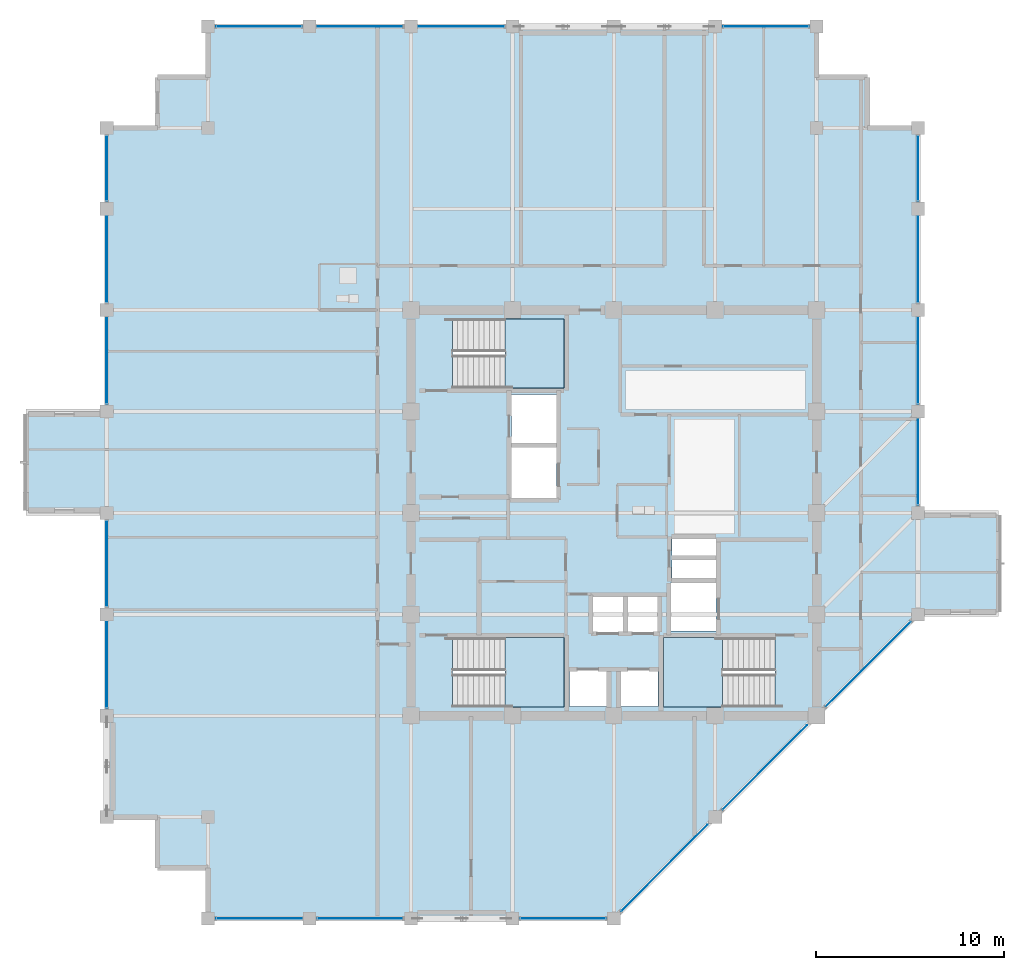
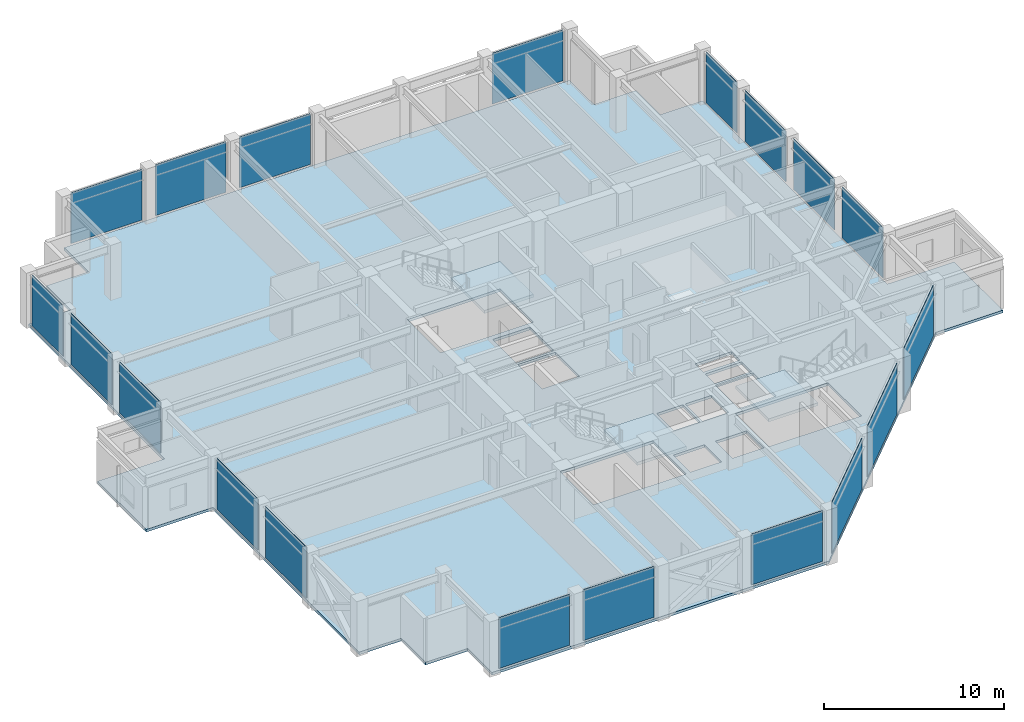
# One storey, part 22 of 31: 19 plates, 4 slabs, 11 elements without a shape of their own.
"""IFC4 building model written with IfcOpenShell, lengths in metres."""

from ifc_helpers import new_model, si_unit, direction, frame, frame_2d, origin, place, context, subcontext, project, spatial, polyline, rectangle, outline, extrude, material, layer, layer_set, type_object, element, aggregate, save


model = new_model("IFC4")

# Units and contexts
model_context = context("Model", 3, precision=1e-05, world=origin(), true_north=direction((0.0, 1.0)))
body_context = subcontext(model_context, "Body", "Model", "MODEL_VIEW")
ifc_project = project(units=[si_unit("LENGTHUNIT", "METRE"), si_unit("AREAUNIT", "SQUARE_METRE"), si_unit("VOLUMEUNIT", "CUBIC_METRE"), si_unit("PLANEANGLEUNIT", "RADIAN"), si_unit("MASSUNIT", "GRAM", prefix="KILO")], contexts=[model_context])

# Site, building, storey
site_placement = place(None, origin())
site = spatial("IfcSite", under=ifc_project, at=site_placement, CompositionType="ELEMENT")
building_placement = place(site_placement, origin())
building = spatial("IfcBuilding", under=site, at=building_placement, Name="Surkhivell Harbour Commons", CompositionType="ELEMENT")
storey_placement = place(building_placement, frame((0.0, 0.0, 322.5)))
storey = spatial("IfcBuildingStorey", under=building, at=storey_placement, Name="L84", CompositionType="ELEMENT", Elevation=322.5)

# Curtain wall, plates
ifc_material_1 = material(Name="Anodised pale-metal aluminium and insulated glazing", Category="aluminium")
ifc_layer_1 = layer(ifc_material_1, 0.175048828125)
ifc_layer_set_1 = layer_set([ifc_layer_1], Name="Anodised pale-metal aluminium and insulated glazing")
curtain_wall_type = type_object("IfcCurtainWallType", Name="CW-SYS-Z4", PredefinedType="NOTDEFINED", material=ifc_layer_set_1)
curtain_wall_1_placement = place(storey_placement, origin())
curtain_wall_1 = element("IfcCurtainWall", 1, at=curtain_wall_1_placement, inside=storey, type_object=curtain_wall_type, Name="L84 Curtain Wall CW-L84-E00S1", PredefinedType="NOTDEFINED")
ifc_material_2 = material(Name="Double-silver low-E laminated vision glass", Category="glass")
ifc_layer_2 = layer(ifc_material_2, 0.031982421875)
ifc_layer_set_2 = layer_set([ifc_layer_2], Name="Double-silver low-E laminated vision glass")
plate_type = type_object("IfcPlateType", Name="CWP-GLZ-32", PredefinedType="CURTAIN_PANEL", material=ifc_layer_set_2)
plate_1_placement = place(storey_placement, frame((-21.173095703125, -21.60009765625, 0.1298828125), z_axis=(0.0, 0.0, 1.0), x_axis=(1.0, 0.0, 0.0)))
plate_1 = element("IfcPlate", 2, at=plate_1_placement, type_object=plate_type, Name="CW-Z4 panel 1.1", PredefinedType="CURTAIN_PANEL", context=body_context, shape_type="SweptSolid", body=[
    extrude(rectangle(XDim=4.546142578125, YDim=0.031982421875, at=frame_2d((2.27294921875, 0.0))), origin(), (0.0, 0.0, 1.0), 3.440185546875),
])
plate_2_placement = place(storey_placement, frame((-15.77294921875, -21.60009765625, 0.1298828125), z_axis=(0.0, 0.0, 1.0), x_axis=(1.0, 0.0, 0.0)))
plate_2 = element("IfcPlate", 3, at=plate_2_placement, type_object=plate_type, Name="CW-Z4 panel 2.1", PredefinedType="CURTAIN_PANEL", context=body_context, shape_type="SweptSolid", body=[
    extrude(rectangle(XDim=4.5458984375, YDim=0.031982421875, at=frame_2d((2.27294921875, 0.0))), origin(), (0.0, 0.0, 1.0), 3.440185546875),
])
aggregate(curtain_wall_1, [plate_1, plate_2])

# Curtain wall, plate
curtain_wall_2_placement = place(storey_placement, origin())
curtain_wall_2 = element("IfcCurtainWall", 4, at=curtain_wall_2_placement, inside=storey, type_object=curtain_wall_type, Name="L84 Curtain Wall CW-L84-E00S2", PredefinedType="NOTDEFINED")
plate_3_placement = place(storey_placement, frame((-4.972900390625, -21.60009765625, 0.1298828125), z_axis=(0.0, 0.0, 1.0), x_axis=(1.0, 0.0, 0.0)))
plate_3 = element("IfcPlate", 5, at=plate_3_placement, type_object=plate_type, Name="CW-Z4 panel 1.1", PredefinedType="CURTAIN_PANEL", context=body_context, shape_type="SweptSolid", body=[
    extrude(rectangle(XDim=4.5458984375, YDim=0.031982421875, at=frame_2d((2.27294921875, 0.0))), origin(), (0.0, 0.0, 1.0), 3.440185546875),
])
aggregate(curtain_wall_2, [plate_3])

# Curtain wall, plates
curtain_wall_3_placement = place(storey_placement, origin())
curtain_wall_3 = element("IfcCurtainWall", 6, at=curtain_wall_3_placement, inside=storey, type_object=curtain_wall_type, Name="L84 Curtain Wall CW-L84-E01", PredefinedType="NOTDEFINED")
plate_4_placement = place(storey_placement, frame((0.404541015625, -21.1953125, 0.1298828125), z_axis=(0.0, 0.0, 1.0), x_axis=(0.707125583467, 0.707087978406, 0.0)))
plate_4 = element("IfcPlate", 7, at=plate_4_placement, type_object=plate_type, Name="CW-Z4 panel 1.1", PredefinedType="CURTAIN_PANEL", context=body_context, shape_type="SweptSolid", body=[
    extrude(rectangle(XDim=6.4921875, YDim=0.031982421875, at=frame_2d((3.24609375, 0.0))), origin(), (0.0, 0.0, 1.0), 3.440185546875),
])
plate_5_placement = place(storey_placement, frame((5.8046875, -15.79541015625, 0.1298828125), z_axis=(0.0, 0.0, 1.0), x_axis=(0.707106781187, 0.707106781187, 0.0)))
plate_5 = element("IfcPlate", 8, at=plate_5_placement, type_object=plate_type, Name="CW-Z4 panel 2.1", PredefinedType="CURTAIN_PANEL", context=body_context, shape_type="SweptSolid", body=[
    extrude(rectangle(XDim=6.350830078125, YDim=0.031982421875, at=frame_2d((3.17529296875, 0.0))), origin(), (0.0, 0.0, 1.0), 3.440185546875),
])
plate_6_placement = place(storey_placement, frame((11.3046875, -10.29541015625, 0.1298828125), z_axis=(0.0, 0.0, 1.0), x_axis=(0.707106781187, 0.707106781187, 0.0)))
plate_6 = element("IfcPlate", 9, at=plate_6_placement, type_object=plate_type, Name="CW-Z4 panel 3.1", PredefinedType="CURTAIN_PANEL", context=body_context, shape_type="SweptSolid", body=[
    extrude(rectangle(XDim=6.350830078125, YDim=0.031982421875, at=frame_2d((3.17529296875, 0.0))), origin(), (0.0, 0.0, 1.0), 3.440185546875),
])
aggregate(curtain_wall_3, [plate_4, plate_5, plate_6])

curtain_wall_4_placement = place(storey_placement, origin())
curtain_wall_4 = element("IfcCurtainWall", 10, at=curtain_wall_4_placement, inside=storey, type_object=curtain_wall_type, Name="L84 Curtain Wall CW-L84-E02R1", PredefinedType="NOTDEFINED")
plate_7_placement = place(storey_placement, frame((16.199951171875, 0.427001953125, 0.1298828125), z_axis=(0.0, 0.0, 1.0), x_axis=(0.0, 1.0, 0.0)))
plate_7 = element("IfcPlate", 11, at=plate_7_placement, type_object=plate_type, Name="CW-Z4 panel 1.1", PredefinedType="CURTAIN_PANEL", context=body_context, shape_type="SweptSolid", body=[
    extrude(rectangle(XDim=4.5458984375, YDim=0.031982421875, at=frame_2d((2.27294921875, 0.0))), origin(), (0.0, 0.0, 1.0), 3.440185546875),
])
plate_8_placement = place(storey_placement, frame((16.199951171875, 5.826904296875, 0.1298828125), z_axis=(0.0, 0.0, 1.0), x_axis=(0.0, 1.0, 0.0)))
plate_8 = element("IfcPlate", 12, at=plate_8_placement, type_object=plate_type, Name="CW-Z4 panel 2.1", PredefinedType="CURTAIN_PANEL", context=body_context, shape_type="SweptSolid", body=[
    extrude(rectangle(XDim=4.546142578125, YDim=0.031982421875, at=frame_2d((2.27294921875, 0.0))), origin(), (0.0, 0.0, 1.0), 3.440185546875),
])
plate_9_placement = place(storey_placement, frame((16.199951171875, 11.22705078125, 0.1298828125), z_axis=(0.0, 0.0, 1.0), x_axis=(0.0, 1.0, 0.0)))
plate_9 = element("IfcPlate", 13, at=plate_9_placement, type_object=plate_type, Name="CW-Z4 panel 3.1", PredefinedType="CURTAIN_PANEL", context=body_context, shape_type="SweptSolid", body=[
    extrude(rectangle(XDim=4.5458984375, YDim=0.031982421875, at=frame_2d((2.27294921875, 0.0))), origin(), (0.0, 0.0, 1.0), 3.440185546875),
])
plate_10_placement = place(storey_placement, frame((16.199951171875, 16.626953125, 0.1298828125), z_axis=(0.0, 0.0, 1.0), x_axis=(0.0, 1.0, 0.0)))
plate_10 = element("IfcPlate", 14, at=plate_10_placement, type_object=plate_type, Name="CW-Z4 panel 4.1", PredefinedType="CURTAIN_PANEL", context=body_context, shape_type="SweptSolid", body=[
    extrude(rectangle(XDim=3.446044921875, YDim=0.031982421875, at=frame_2d((1.72314453125, 0.0))), origin(), (0.0, 0.0, 1.0), 3.440185546875),
])
aggregate(curtain_wall_4, [plate_7, plate_8, plate_9, plate_10])

# Curtain wall, plate
curtain_wall_5_placement = place(storey_placement, origin())
curtain_wall_5 = element("IfcCurtainWall", 15, at=curtain_wall_5_placement, inside=storey, type_object=curtain_wall_type, Name="L84 Curtain Wall CW-L84-E07S1", PredefinedType="NOTDEFINED")
plate_11_placement = place(storey_placement, frame((10.373046875, 25.89990234375, 0.1298828125), z_axis=(0.0, 0.0, 1.0), x_axis=(-1.0, 0.0, 0.0)))
plate_11 = element("IfcPlate", 16, at=plate_11_placement, type_object=plate_type, Name="CW-Z4 panel 1.1", PredefinedType="CURTAIN_PANEL", context=body_context, shape_type="SweptSolid", body=[
    extrude(rectangle(XDim=4.546142578125, YDim=0.031982421875, at=frame_2d((2.27294921875, 0.0))), origin(), (0.0, 0.0, 1.0), 3.440185546875),
])
aggregate(curtain_wall_5, [plate_11])

# Curtain wall, plates
curtain_wall_6_placement = place(storey_placement, origin())
curtain_wall_6 = element("IfcCurtainWall", 17, at=curtain_wall_6_placement, inside=storey, type_object=curtain_wall_type, Name="L84 Curtain Wall CW-L84-E07S2", PredefinedType="NOTDEFINED")
plate_12_placement = place(storey_placement, frame((-5.826904296875, 25.89990234375, 0.1298828125), z_axis=(0.0, 0.0, 1.0), x_axis=(-1.0, 0.0, 0.0)))
plate_12 = element("IfcPlate", 18, at=plate_12_placement, type_object=plate_type, Name="CW-Z4 panel 1.1", PredefinedType="CURTAIN_PANEL", context=body_context, shape_type="SweptSolid", body=[
    extrude(rectangle(XDim=4.546142578125, YDim=0.031982421875, at=frame_2d((2.27294921875, 0.0))), origin(), (0.0, 0.0, 1.0), 3.440185546875),
])
plate_13_placement = place(storey_placement, frame((-11.22705078125, 25.89990234375, 0.1298828125), z_axis=(0.0, 0.0, 1.0), x_axis=(-1.0, 0.0, 0.0)))
plate_13 = element("IfcPlate", 19, at=plate_13_placement, type_object=plate_type, Name="CW-Z4 panel 2.1", PredefinedType="CURTAIN_PANEL", context=body_context, shape_type="SweptSolid", body=[
    extrude(rectangle(XDim=4.5458984375, YDim=0.031982421875, at=frame_2d((2.27294921875, 0.0))), origin(), (0.0, 0.0, 1.0), 3.440185546875),
])
plate_14_placement = place(storey_placement, frame((-16.626953125, 25.89990234375, 0.1298828125), z_axis=(0.0, 0.0, 1.0), x_axis=(-1.0, 0.0, 0.0)))
plate_14 = element("IfcPlate", 20, at=plate_14_placement, type_object=plate_type, Name="CW-Z4 panel 3.1", PredefinedType="CURTAIN_PANEL", context=body_context, shape_type="SweptSolid", body=[
    extrude(rectangle(XDim=4.546142578125, YDim=0.031982421875, at=frame_2d((2.27294921875, 0.0))), origin(), (0.0, 0.0, 1.0), 3.440185546875),
])
aggregate(curtain_wall_6, [plate_12, plate_13, plate_14])

curtain_wall_7_placement = place(storey_placement, origin())
curtain_wall_7 = element("IfcCurtainWall", 21, at=curtain_wall_7_placement, inside=storey, type_object=curtain_wall_type, Name="L84 Curtain Wall CW-L84-E12R1S1", PredefinedType="NOTDEFINED")
plate_15_placement = place(storey_placement, frame((-27.0, -10.373046875, 0.1298828125), z_axis=(0.0, 0.0, 1.0), x_axis=(0.0, 1.0, 0.0)))
plate_15 = element("IfcPlate", 22, at=plate_15_placement, type_object=plate_type, Name="CW-Z4 panel 1.1", PredefinedType="CURTAIN_PANEL", context=body_context, shape_type="SweptSolid", body=[
    extrude(rectangle(XDim=4.546142578125, YDim=0.031982421875, at=frame_2d((2.27294921875, 0.0))), origin(), (0.0, 0.0, 1.0), 3.440185546875),
])
plate_16_placement = place(storey_placement, frame((-27.0, -4.972900390625, 0.1298828125), z_axis=(0.0, 0.0, 1.0), x_axis=(0.0, 1.0, 0.0)))
plate_16 = element("IfcPlate", 23, at=plate_16_placement, type_object=plate_type, Name="CW-Z4 panel 2.1", PredefinedType="CURTAIN_PANEL", context=body_context, shape_type="SweptSolid", body=[
    extrude(rectangle(XDim=4.5458984375, YDim=0.031982421875, at=frame_2d((2.27294921875, 0.0))), origin(), (0.0, 0.0, 1.0), 3.440185546875),
])
aggregate(curtain_wall_7, [plate_15, plate_16])

curtain_wall_8_placement = place(storey_placement, origin())
curtain_wall_8 = element("IfcCurtainWall", 24, at=curtain_wall_8_placement, inside=storey, type_object=curtain_wall_type, Name="L84 Curtain Wall CW-L84-E12R2", PredefinedType="NOTDEFINED")
plate_17_placement = place(storey_placement, frame((-27.0, 5.826904296875, 0.1298828125), z_axis=(0.0, 0.0, 1.0), x_axis=(0.0, 1.0, 0.0)))
plate_17 = element("IfcPlate", 25, at=plate_17_placement, type_object=plate_type, Name="CW-Z4 panel 1.1", PredefinedType="CURTAIN_PANEL", context=body_context, shape_type="SweptSolid", body=[
    extrude(rectangle(XDim=4.546142578125, YDim=0.031982421875, at=frame_2d((2.27294921875, 0.0))), origin(), (0.0, 0.0, 1.0), 3.440185546875),
])
plate_18_placement = place(storey_placement, frame((-27.0, 11.22705078125, 0.1298828125), z_axis=(0.0, 0.0, 1.0), x_axis=(0.0, 1.0, 0.0)))
plate_18 = element("IfcPlate", 26, at=plate_18_placement, type_object=plate_type, Name="CW-Z4 panel 2.1", PredefinedType="CURTAIN_PANEL", context=body_context, shape_type="SweptSolid", body=[
    extrude(rectangle(XDim=4.5458984375, YDim=0.031982421875, at=frame_2d((2.27294921875, 0.0))), origin(), (0.0, 0.0, 1.0), 3.440185546875),
])
plate_19_placement = place(storey_placement, frame((-27.0, 16.626953125, 0.1298828125), z_axis=(0.0, 0.0, 1.0), x_axis=(0.0, 1.0, 0.0)))
plate_19 = element("IfcPlate", 27, at=plate_19_placement, type_object=plate_type, Name="CW-Z4 panel 3.1", PredefinedType="CURTAIN_PANEL", context=body_context, shape_type="SweptSolid", body=[
    extrude(rectangle(XDim=3.446044921875, YDim=0.031982421875, at=frame_2d((1.72314453125, 0.0))), origin(), (0.0, 0.0, 1.0), 3.440185546875),
])
aggregate(curtain_wall_8, [plate_17, plate_18, plate_19])

# Stair, slab
ifc_material_3 = material(Name="Precast concrete C45/55", Category="concrete")
stair_type = type_object("IfcStairType", Name="STR-DL-375", PredefinedType="HALF_TURN_STAIR", material=ifc_material_3)
stair_1_placement = place(storey_placement, origin())
stair_1 = element("IfcStair", 28, at=stair_1_placement, inside=storey, type_object=stair_type, Name="L84 Core Exit Stair ST1", PredefinedType="HALF_TURN_STAIR")
ifc_material_4 = material(Name="Reinforced concrete C45/55", Category="concrete")
ifc_layer_3 = layer(ifc_material_4, 0.199951171875)
ifc_layer_set_3 = layer_set([ifc_layer_3], Name="Reinforced concrete C45/55")
slab_type_1 = type_object("IfcSlabType", Name="SLB-ST-LND200", PredefinedType="LANDING", material=ifc_layer_set_3)
slab_1_placement = place(storey_placement, frame((0.0, 0.0, 1.675048828125)))
slab_1 = element("IfcSlab", 29, at=slab_1_placement, type_object=slab_type_1, Name="ST1 landing 1", PredefinedType="LANDING", context=body_context, shape_type="SweptSolid", body=[
    extrude(outline(polyline([(-5.7900390625, 6.639892578125), (-2.639892578125, 6.639892578125), (-2.639892578125, 10.340087890625), (-5.7900390625, 10.340087890625), (-5.7900390625, 6.639892578125)])), origin(), (0.0, 0.0, 1.0), 0.199951171875),
])
aggregate(stair_1, [slab_1])

stair_2_placement = place(storey_placement, origin())
stair_2 = element("IfcStair", 30, at=stair_2_placement, inside=storey, type_object=stair_type, Name="L84 Core Exit Stair ST2", PredefinedType="HALF_TURN_STAIR")
slab_2_placement = place(storey_placement, frame((0.0, 0.0, 1.675048828125)))
slab_2 = element("IfcSlab", 31, at=slab_2_placement, type_object=slab_type_1, Name="ST2 landing 1", PredefinedType="LANDING", context=body_context, shape_type="SweptSolid", body=[
    extrude(outline(polyline([(5.7900390625, -6.639892578125), (2.639892578125, -6.639892578125), (2.639892578125, -10.340087890625), (5.7900390625, -10.340087890625), (5.7900390625, -6.639892578125)])), origin(), (0.0, 0.0, 1.0), 0.199951171875),
])
aggregate(stair_2, [slab_2])

stair_3_placement = place(storey_placement, origin())
stair_3 = element("IfcStair", 32, at=stair_3_placement, inside=storey, type_object=stair_type, Name="L84 Core Exit Stair ST3", PredefinedType="HALF_TURN_STAIR")
slab_3_placement = place(storey_placement, frame((0.0, 0.0, 1.675048828125)))
slab_3 = element("IfcSlab", 33, at=slab_3_placement, type_object=slab_type_1, Name="ST3 landing 1", PredefinedType="LANDING", context=body_context, shape_type="SweptSolid", body=[
    extrude(outline(polyline([(-5.7900390625, -10.340087890625), (-2.639892578125, -10.340087890625), (-2.639892578125, -6.639892578125), (-5.7900390625, -6.639892578125), (-5.7900390625, -10.340087890625)])), origin(), (0.0, 0.0, 1.0), 0.199951171875),
])
aggregate(stair_3, [slab_3])

# Slab
ifc_material_5 = material(Name="Concrete C45/55", Category="concrete")
ifc_layer_4 = layer(ifc_material_5, 0.179931640625)
ifc_layer_set_4 = layer_set([ifc_layer_4], Name="Concrete C45/55")
slab_type_2 = type_object("IfcSlabType", Name="SLB-TYP-180", PredefinedType="FLOOR", material=ifc_layer_set_4)
slab_4_placement = place(storey_placement, frame((0.0, 0.0, -0.179931640625)))
element("IfcSlab", 34, at=slab_4_placement, inside=storey, type_object=slab_type_2, Name="L84 Structural Floor Slab", PredefinedType="FLOOR", context=body_context, shape_type="SweptSolid", body=[
    extrude(outline(polyline([(-27.0, 20.5), (-27.0, 5.39990234375), (-31.300048828125, 5.39990234375), (-31.300048828125, 0.0), (-27.0, 0.0), (-27.0, -16.199951171875), (-24.300048828125, -16.199951171875), (-24.300048828125, -18.89990234375), (-21.60009765625, -18.89990234375), (-21.60009765625, -21.60009765625), (0.0, -21.60009765625), (16.199951171875, -5.39990234375), (20.5, -5.39990234375), (20.5, 0.0), (16.199951171875, 0.0), (16.199951171875, 20.5), (13.5, 20.5), (13.5, 23.199951171875), (10.800048828125, 23.199951171875), (10.800048828125, 25.89990234375), (-21.60009765625, 25.89990234375), (-21.60009765625, 23.199951171875), (-24.300048828125, 23.199951171875), (-24.300048828125, 20.5), (-27.0, 20.5)]), holes=[polyline([(-8.590087890625, 6.639892578125), (-2.639892578125, 6.639892578125), (-2.639892578125, 10.340087890625), (-8.590087890625, 10.340087890625), (-8.590087890625, 6.639892578125)]), polyline([(8.590087890625, -6.639892578125), (2.639892578125, -6.639892578125), (2.639892578125, -10.340087890625), (8.590087890625, -10.340087890625), (8.590087890625, -6.639892578125)]), polyline([(-8.590087890625, -10.340087890625), (-2.639892578125, -10.340087890625), (-2.639892578125, -6.639892578125), (-8.590087890625, -6.639892578125), (-8.590087890625, -10.340087890625)]), polyline([(-1.14990234375, -6.35009765625), (0.550048828125, -6.35009765625), (0.550048828125, -4.449951171875), (-1.14990234375, -4.449951171875), (-1.14990234375, -6.35009765625)]), polyline([(0.679931640625, -6.35009765625), (2.3798828125, -6.35009765625), (2.3798828125, -4.449951171875), (0.679931640625, -4.449951171875), (0.679931640625, -6.35009765625)]), polyline([(-2.35009765625, -10.300048828125), (-0.35009765625, -10.300048828125), (-0.35009765625, -8.39990234375), (-2.35009765625, -8.39990234375), (-2.35009765625, -10.300048828125)]), polyline([(0.35009765625, -10.300048828125), (2.35009765625, -10.300048828125), (2.35009765625, -8.39990234375), (0.35009765625, -8.39990234375), (0.35009765625, -10.300048828125)]), polyline([(-5.449951171875, 3.699951171875), (-3.050048828125, 3.699951171875), (-3.050048828125, 6.300048828125), (-5.449951171875, 6.300048828125), (-5.449951171875, 3.699951171875)]), polyline([(3.050048828125, -6.300048828125), (5.449951171875, -6.300048828125), (5.449951171875, -3.699951171875), (3.050048828125, -3.699951171875), (3.050048828125, -6.300048828125)]), polyline([(-5.449951171875, 0.800048828125), (-3.050048828125, 0.800048828125), (-3.050048828125, 3.5), (-5.449951171875, 3.5), (-5.449951171875, 0.800048828125)]), polyline([(3.10009765625, -3.550048828125), (5.449951171875, -3.550048828125), (5.449951171875, -2.47998046875), (3.10009765625, -2.47998046875), (3.10009765625, -3.550048828125)]), polyline([(3.10009765625, -2.280029296875), (5.449951171875, -2.280029296875), (5.449951171875, -1.35009765625), (3.10009765625, -1.35009765625), (3.10009765625, -2.280029296875)])]), origin(), (0.0, 0.0, 1.0), 0.179931640625),
])

save(model, "model.ifc")
